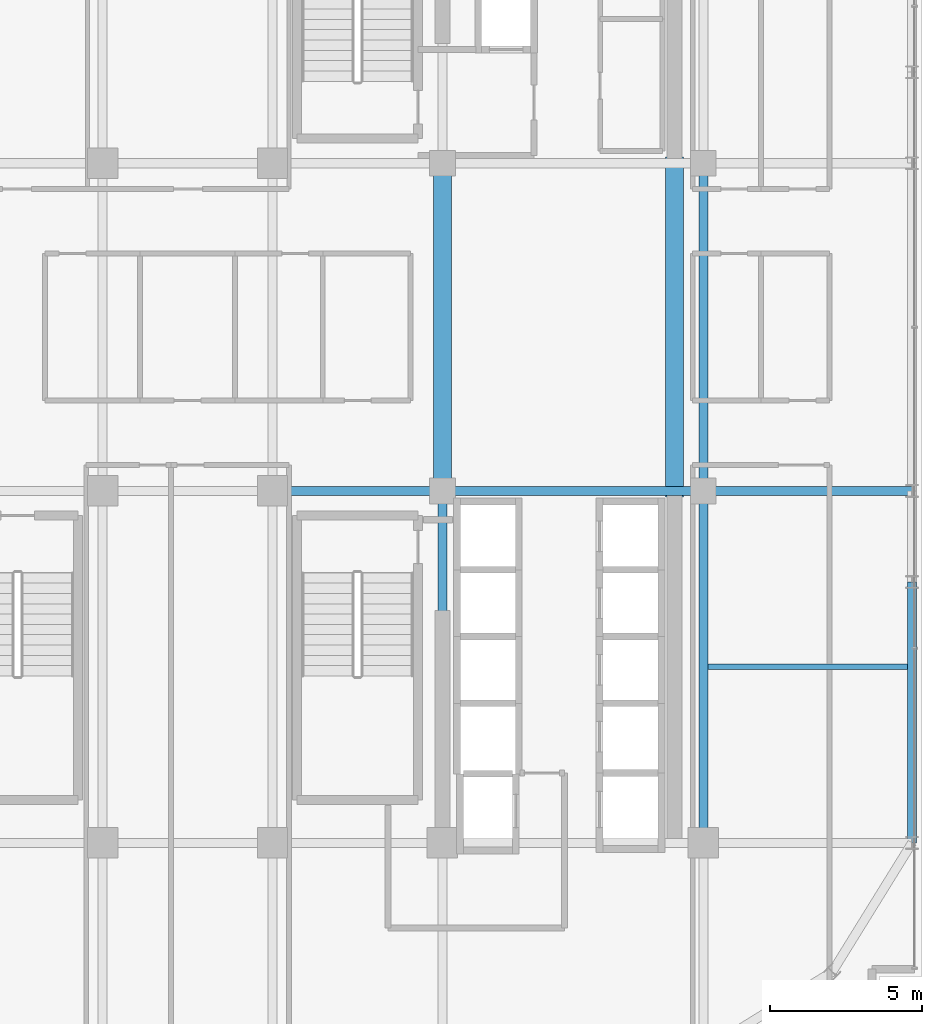
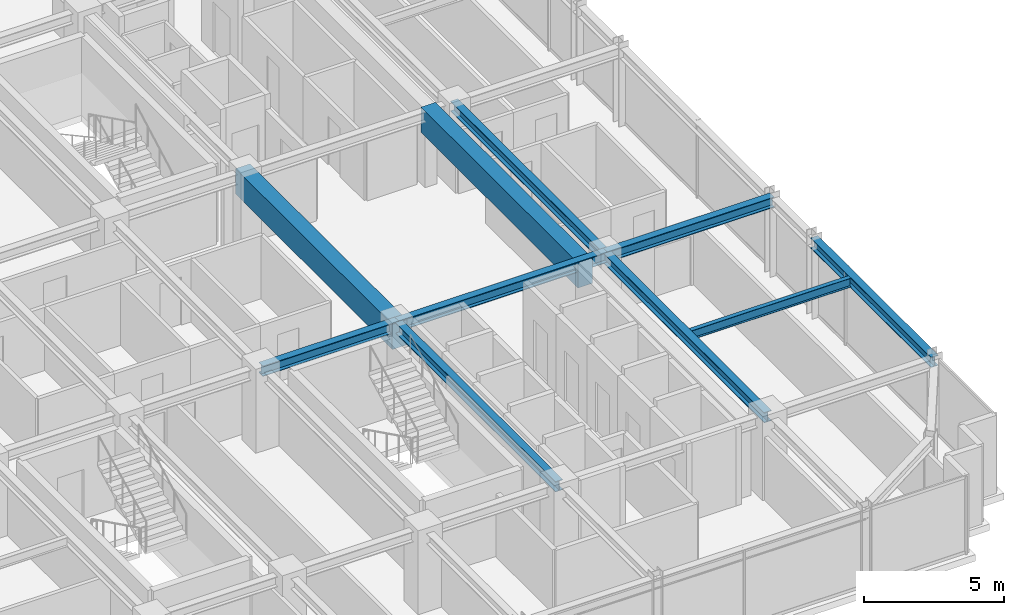
# One storey, part 14 of 32: 10 beams.
"""IFC4 building model written with IfcOpenShell, lengths in metres."""

from ifc_helpers import new_model, si_unit, direction, frame, origin, origin_2d, place, context, subcontext, project, spatial, rectangle, i_section, extrude, source, transform, mapped, material, material_profile, profile_set, type_object, element, save


model = new_model("IFC4")

# Units and contexts
model_context = context("Model", 3, precision=1e-05, world=origin(), true_north=direction((0.0, 1.0)))
body_context = subcontext(model_context, "Body", "Model", "MODEL_VIEW")
ifc_project = project(units=[si_unit("LENGTHUNIT", "METRE"), si_unit("AREAUNIT", "SQUARE_METRE"), si_unit("VOLUMEUNIT", "CUBIC_METRE"), si_unit("PLANEANGLEUNIT", "RADIAN"), si_unit("MASSUNIT", "GRAM", prefix="KILO")], contexts=[model_context])

# Site, building, storey
site_placement = place(None, origin())
site = spatial("IfcSite", under=ifc_project, at=site_placement, CompositionType="ELEMENT")
building_placement = place(site_placement, origin())
building = spatial("IfcBuilding", under=site, at=building_placement, Name="Nahalor Promenade Grand Hotel", CompositionType="ELEMENT")
storey_placement = place(building_placement, frame((0.0, 0.0, 230.800048828125)))
storey = spatial("IfcBuildingStorey", under=building, at=storey_placement, Name="L59", CompositionType="ELEMENT", Elevation=230.800048828125)

# Beams
ifc_material_1 = material(Name="Concrete B-60 (C50/60)", Category="concrete")
ifc_material_profile_1 = material_profile(ifc_material_1, rectangle(XDim=0.6, YDim=1.1, at=origin_2d()), Name="RC 600x1100")
ifc_profile_set_1 = profile_set([ifc_material_profile_1], Name="Concrete B-60 (C50/60)")
beam_type_1 = type_object("IfcBeamType", Name="Beam-Lintel-RC1100", PredefinedType="LINTEL", material=ifc_profile_set_1)
shared_shape_1 = source(origin(), body_context, "Body", "SweptSolid", [
    extrude(rectangle(XDim=0.6, YDim=1.1, at=origin_2d()), origin(), (0.0, 0.0, 1.0), 11.2001953125),
])
for number, where, z_axis, x_axis, name in (
    (1, (8.39990234375, -5.60009765625, 2.85986328125), (0.0, 1.0, 0.0), (-1.0, 0.0, 0.0), "BM-L59-LINT-W"),
    (2, (16.050048828125, -5.60009765625, 2.85986328125), (0.0, 1.0, 0.0), (-1.0, 0.0, 0.0), "BM-L59-LINT-E"),
):
    element("IfcBeam", number, at=place(storey_placement, frame(where, z_axis=z_axis, x_axis=x_axis)), inside=storey, type_object=beam_type_1, Name=name, PredefinedType="LINTEL", context=body_context, shape_type="MappedRepresentation", body=[
        mapped(shared_shape_1, transform((0.0, 0.0, 0.0), scale=1.0)),
    ])
ifc_material_2 = material(Name="Steel S355JR", Category="steel")
ifc_material_profile_2 = material_profile(ifc_material_2, i_section(OverallWidth=0.3, OverallDepth=0.45, WebThickness=0.014, FlangeThickness=0.026, at=origin_2d()), Name="HEB 450")
ifc_profile_set_2 = profile_set([ifc_material_profile_2], Name="Steel S355JR")
beam_type_2 = type_object("IfcBeamType", Name="Beam-Spandrel-HEB450", PredefinedType="SPANDREL", material=ifc_profile_set_2)
shared_shape_2 = source(origin(), body_context, "Body", "SweptSolid", [
    extrude(i_section(OverallWidth=0.3, OverallDepth=0.45, WebThickness=0.014, FlangeThickness=0.026, at=origin_2d()), origin(), (0.0, 0.0, 1.0), 8.60009765625),
])
beam_1_placement = place(storey_placement, frame((23.8798828125, -17.0, 3.18505859375), z_axis=(0.0, 1.0, 0.0), x_axis=(-1.0, 0.0, 0.0)))
element("IfcBeam", 3, at=beam_1_placement, inside=storey, type_object=beam_type_2, Name="BM-L59-SP-E-0", PredefinedType="SPANDREL", context=body_context, shape_type="MappedRepresentation", body=[
    mapped(shared_shape_2, transform((0.0, 0.0, 0.0), scale=1.0)),
])
ifc_material_profile_3 = material_profile(ifc_material_2, i_section(OverallWidth=0.3, OverallDepth=0.45, WebThickness=0.014, FlangeThickness=0.026, at=origin_2d()), Name="HEB 450")
ifc_profile_set_3 = profile_set([ifc_material_profile_3], Name="Steel S355JR")
beam_type_3 = type_object("IfcBeamType", Name="Beam-Girder-HEB450", PredefinedType="BEAM", material=ifc_profile_set_3)
shared_shape_3 = source(origin(), body_context, "Body", "SweptSolid", [
    extrude(i_section(OverallWidth=0.3, OverallDepth=0.45, WebThickness=0.014, FlangeThickness=0.026, at=origin_2d()), origin(), (0.0, 0.0, 1.0), 6.8798828125),
])
beam_2_placement = place(storey_placement, frame((17.0, -5.39990234375, 3.18505859375), z_axis=(1.0, 0.0, 0.0), x_axis=(0.0, 1.0, 0.0)))
element("IfcBeam", 4, at=beam_2_placement, inside=storey, type_object=beam_type_3, Name="BM-L59-GX-1-6", PredefinedType="BEAM", context=body_context, shape_type="MappedRepresentation", body=[
    mapped(shared_shape_3, transform((0.0, 0.0, 0.0), scale=1.0)),
])
shared_shape_4 = source(origin(), body_context, "Body", "SweptSolid", [
    extrude(i_section(OverallWidth=0.3, OverallDepth=0.45, WebThickness=0.014, FlangeThickness=0.026, at=origin_2d()), origin(), (0.0, 0.0, 1.0), 8.60009765625),
])
beam_3_placement = place(storey_placement, frame((8.39990234375, -5.39990234375, 3.18505859375), z_axis=(1.0, 0.0, 0.0), x_axis=(0.0, 1.0, 0.0)))
element("IfcBeam", 5, at=beam_3_placement, inside=storey, type_object=beam_type_3, Name="BM-L59-GX-1-5", PredefinedType="BEAM", context=body_context, shape_type="MappedRepresentation", body=[
    mapped(shared_shape_4, transform((0.0, 0.0, 0.0), scale=1.0)),
])
shared_shape_5 = source(origin(), body_context, "Body", "SweptSolid", [
    extrude(i_section(OverallWidth=0.3, OverallDepth=0.45, WebThickness=0.014, FlangeThickness=0.026, at=origin_2d()), origin(), (0.0, 0.0, 1.0), 5.599853515625),
])
beam_4_placement = place(storey_placement, frame((2.800048828125, -5.39990234375, 3.18505859375), z_axis=(1.0, 0.0, 0.0), x_axis=(0.0, 1.0, 0.0)))
element("IfcBeam", 6, at=beam_4_placement, inside=storey, type_object=beam_type_3, Name="BM-L59-GX-1-4", PredefinedType="BEAM", context=body_context, shape_type="MappedRepresentation", body=[
    mapped(shared_shape_5, transform((0.0, 0.0, 0.0), scale=1.0)),
])
shared_shape_6 = source(origin(), body_context, "Body", "SweptSolid", [
    extrude(i_section(OverallWidth=0.3, OverallDepth=0.45, WebThickness=0.014, FlangeThickness=0.026, at=origin_2d()), origin(), (0.0, 0.0, 1.0), 11.60009765625),
])
for number, where, z_axis, x_axis, name in (
    (7, (8.39990234375, -17.0, 3.18505859375), (0.0, 1.0, 0.0), (-1.0, 0.0, 0.0), "BM-L59-GY-4-1"),
    (8, (17.0, -17.0, 3.18505859375), (0.0, 1.0, 0.0), (-1.0, 0.0, 0.0), "BM-L59-GY-5-1"),
):
    element("IfcBeam", number, at=place(storey_placement, frame(where, z_axis=z_axis, x_axis=x_axis)), inside=storey, type_object=beam_type_3, Name=name, PredefinedType="BEAM", context=body_context, shape_type="MappedRepresentation", body=[
        mapped(shared_shape_6, transform((0.0, 0.0, 0.0), scale=1.0)),
    ])
shared_shape_7 = source(origin(), body_context, "Body", "SweptSolid", [
    extrude(i_section(OverallWidth=0.3, OverallDepth=0.45, WebThickness=0.014, FlangeThickness=0.026, at=origin_2d()), origin(), (0.0, 0.0, 1.0), 10.7998046875),
])
beam_5_placement = place(storey_placement, frame((17.0, -5.39990234375, 3.18505859375), z_axis=(0.0, 1.0, 0.0), x_axis=(-1.0, 0.0, 0.0)))
element("IfcBeam", 9, at=beam_5_placement, inside=storey, type_object=beam_type_3, Name="BM-L59-GY-5-2", PredefinedType="BEAM", context=body_context, shape_type="MappedRepresentation", body=[
    mapped(shared_shape_7, transform((0.0, 0.0, 0.0), scale=1.0)),
])
ifc_material_profile_4 = material_profile(ifc_material_2, i_section(OverallWidth=0.18, OverallDepth=0.4, WebThickness=0.0086, FlangeThickness=0.0135, at=origin_2d()), Name="IPE 400")
ifc_profile_set_4 = profile_set([ifc_material_profile_4], Name="Steel S355JR")
beam_type_4 = type_object("IfcBeamType", Name="Beam-Joist-IPE400", PredefinedType="JOIST", material=ifc_profile_set_4)
shared_shape_8 = source(origin(), body_context, "Body", "SweptSolid", [
    extrude(i_section(OverallWidth=0.18, OverallDepth=0.4, WebThickness=0.0086, FlangeThickness=0.0135, at=origin_2d()), origin(), (0.0, 0.0, 1.0), 6.580078125),
])
beam_6_placement = place(storey_placement, frame((17.14990234375, -11.199951171875, 3.2099609375), z_axis=(1.0, 0.0, 0.0), x_axis=(0.0, 1.0, 0.0)))
element("IfcBeam", 10, at=beam_6_placement, inside=storey, type_object=beam_type_4, Name="BM-L59-JSE-0-2", PredefinedType="JOIST", context=body_context, shape_type="MappedRepresentation", body=[
    mapped(shared_shape_8, transform((0.0, 0.0, 0.0), scale=1.0)),
])

save(model, "model.ifc")
